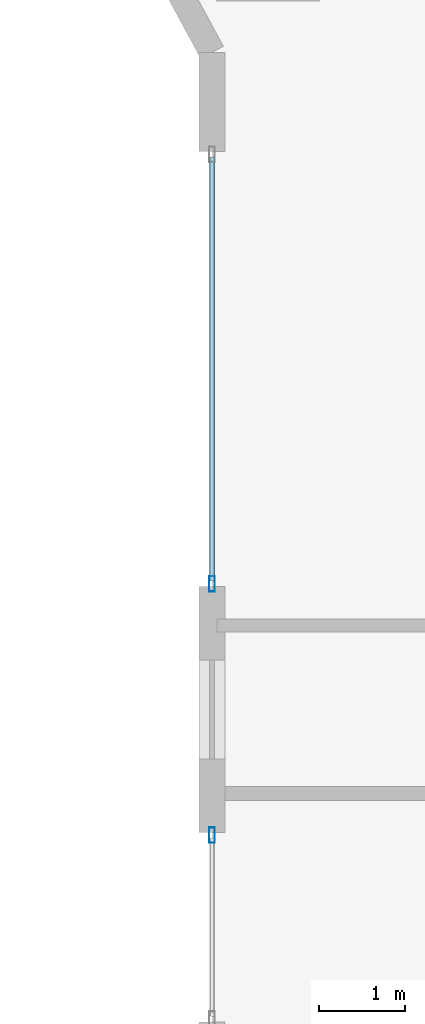
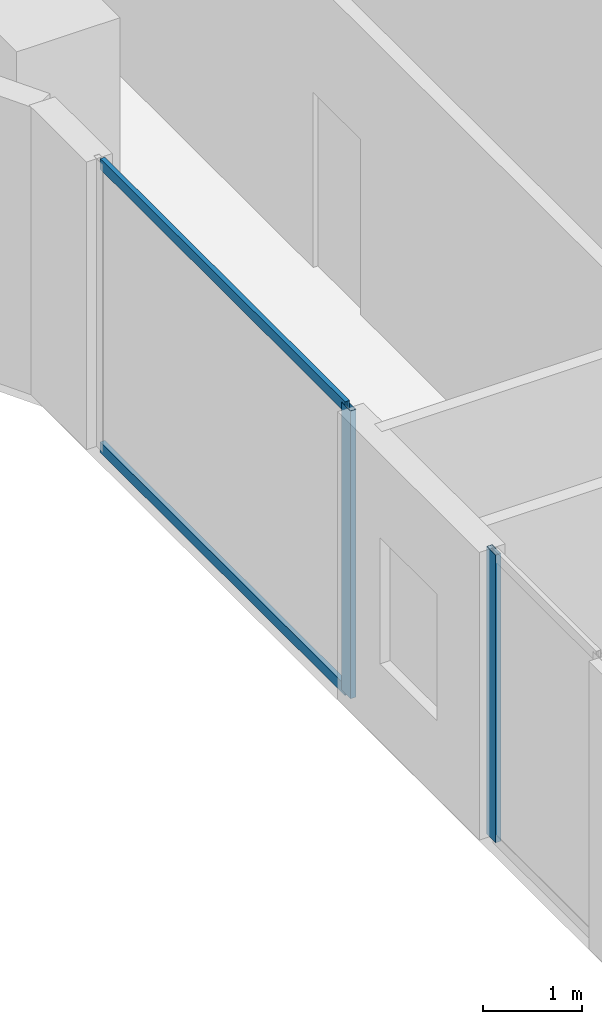
# One storey, part 4 of 33: 4 members, 2 elements without a shape of their own.
"""IFC4 building model written with IfcOpenShell, lengths in metres."""

from ifc_helpers import new_model, si_unit, direction, frame, origin, origin_2d, place, context, subcontext, project, spatial, hollow_rectangle, extrude, material, layer, layer_set, material_profile, profile_set, type_object, element, aggregate, save


model = new_model("IFC4")

# Units and contexts
model_context = context("Model", 3, precision=1e-05, world=origin(), true_north=direction((0.0, 1.0)))
body_context = subcontext(model_context, "Body", "Model", "MODEL_VIEW")
ifc_project = project(units=[si_unit("LENGTHUNIT", "METRE"), si_unit("AREAUNIT", "SQUARE_METRE"), si_unit("VOLUMEUNIT", "CUBIC_METRE"), si_unit("PLANEANGLEUNIT", "RADIAN"), si_unit("MASSUNIT", "GRAM", prefix="KILO")], contexts=[model_context])

# Site, building, storey
site_placement = place(None, origin())
site = spatial("IfcSite", under=ifc_project, at=site_placement, CompositionType="ELEMENT")
building_placement = place(site_placement, origin())
building = spatial("IfcBuilding", under=site, at=building_placement, Name="Zuhayl Quay Hotel", CompositionType="ELEMENT")
storey_placement = place(building_placement, frame((0.0, 0.0, 214.89990234375)))
storey = spatial("IfcBuildingStorey", under=building, at=storey_placement, Name="L54", CompositionType="ELEMENT", Elevation=214.89990234375)

# Curtain wall, member
ifc_material_1 = material(Name="Anodised Aluminium 6063-T6", Category="aluminium")
ifc_layer = layer(ifc_material_1, 0.175048828125, Name="Anodised Aluminium 6063-T6", Category="aluminium")
ifc_layer_set = layer_set([ifc_layer], Name="Anodised Aluminium 6063-T6")
curtain_wall_type = type_object("IfcCurtainWallType", Name="CW_SYS_Z3", PredefinedType="USERDEFINED", material=ifc_layer_set)
curtain_wall_1_placement = place(storey_placement, origin())
curtain_wall_1 = element("IfcCurtainWall", 1, at=curtain_wall_1_placement, inside=storey, type_object=curtain_wall_type, Name="L54 Curtain Wall ENV_L54_E02_CW1", ObjectType="UNITISED CURTAIN WALL", PredefinedType="USERDEFINED")
ifc_material_2 = material(Name="Black-anodised aluminium 6063-T6", Category="aluminium")
ifc_material_profile_1 = material_profile(ifc_material_2, hollow_rectangle(XDim=0.06494140625, YDim=0.179931640625, WallThickness=0.00341796875, at=origin_2d()), Name="ALU180X65")
ifc_profile_set_1 = profile_set([ifc_material_profile_1], Name="Black-anodised aluminium 6063-T6")
member_type_1 = type_object("IfcMemberType", Name="MB_CW_MUL_180", PredefinedType="MULLION", material=ifc_profile_set_1)
member_1_placement = place(storey_placement, frame((-22.10009765625, -0.882568359375, 0.0), z_axis=(0.0, 0.0, 1.0), x_axis=(-1.0, 0.0, 0.0)))
member_1 = element("IfcMember", 2, at=member_1_placement, type_object=member_type_1, Name="CW-Z3 mullion 2", PredefinedType="MULLION", context=body_context, shape_type="SweptSolid", body=[
    extrude(hollow_rectangle(XDim=0.06494140625, YDim=0.179931640625, WallThickness=0.00341796875, at=origin_2d()), origin(), (0.0, 0.0, 1.0), 3.530029296875),
])
aggregate(curtain_wall_1, [member_1])

# Curtain wall, members
curtain_wall_2_placement = place(storey_placement, origin())
curtain_wall_2 = element("IfcCurtainWall", 3, at=curtain_wall_2_placement, inside=storey, type_object=curtain_wall_type, Name="L54 Curtain Wall ENV_L54_E02_CW2", ObjectType="UNITISED CURTAIN WALL", PredefinedType="USERDEFINED")
member_2_placement = place(storey_placement, frame((-22.10009765625, 2.032470703125, 0.0), z_axis=(0.0, 0.0, 1.0), x_axis=(-1.0, 0.0, 0.0)))
member_2 = element("IfcMember", 4, at=member_2_placement, type_object=member_type_1, Name="CW-Z3 mullion 1", PredefinedType="MULLION", context=body_context, shape_type="SweptSolid", body=[
    extrude(hollow_rectangle(XDim=0.06494140625, YDim=0.179931640625, WallThickness=0.00341796875, at=origin_2d()), origin(), (0.0, 0.0, 1.0), 3.530029296875),
])
ifc_material_profile_2 = material_profile(ifc_material_2, hollow_rectangle(XDim=0.054931640625, YDim=0.1298828125, WallThickness=0.0029296875, at=origin_2d()), Name="ALU130X55")
ifc_profile_set_2 = profile_set([ifc_material_profile_2], Name="Black-anodised aluminium 6063-T6")
member_type_2 = type_object("IfcMemberType", Name="MB_CW_TRN_130", PredefinedType="USERDEFINED", material=ifc_profile_set_2)
member_3_placement = place(storey_placement, frame((-22.10009765625, 2.06494140625, 0.027587890625), z_axis=(0.0, 1.0, 0.0), x_axis=(-1.0, 0.0, 0.0)))
member_3 = element("IfcMember", 5, at=member_3_placement, type_object=member_type_2, Name="CW-Z3 transom 1.1", ObjectType="TRANSOM", PredefinedType="USERDEFINED", context=body_context, shape_type="SweptSolid", body=[
    extrude(hollow_rectangle(XDim=0.054931640625, YDim=0.1298828125, WallThickness=0.0029296875, at=origin_2d()), origin(), (0.0, 0.0, 1.0), 4.920166015625),
])
member_4_placement = place(storey_placement, frame((-22.10009765625, 2.06494140625, 3.502685546875), z_axis=(0.0, 1.0, 0.0), x_axis=(-1.0, 0.0, 0.0)))
member_4 = element("IfcMember", 6, at=member_4_placement, type_object=member_type_2, Name="CW-Z3 transom 1.2", ObjectType="TRANSOM", PredefinedType="USERDEFINED", context=body_context, shape_type="SweptSolid", body=[
    extrude(hollow_rectangle(XDim=0.054931640625, YDim=0.1298828125, WallThickness=0.0029296875, at=origin_2d()), origin(), (0.0, 0.0, 1.0), 4.920166015625),
])
aggregate(curtain_wall_2, [member_2, member_3, member_4])

save(model, "model.ifc")
